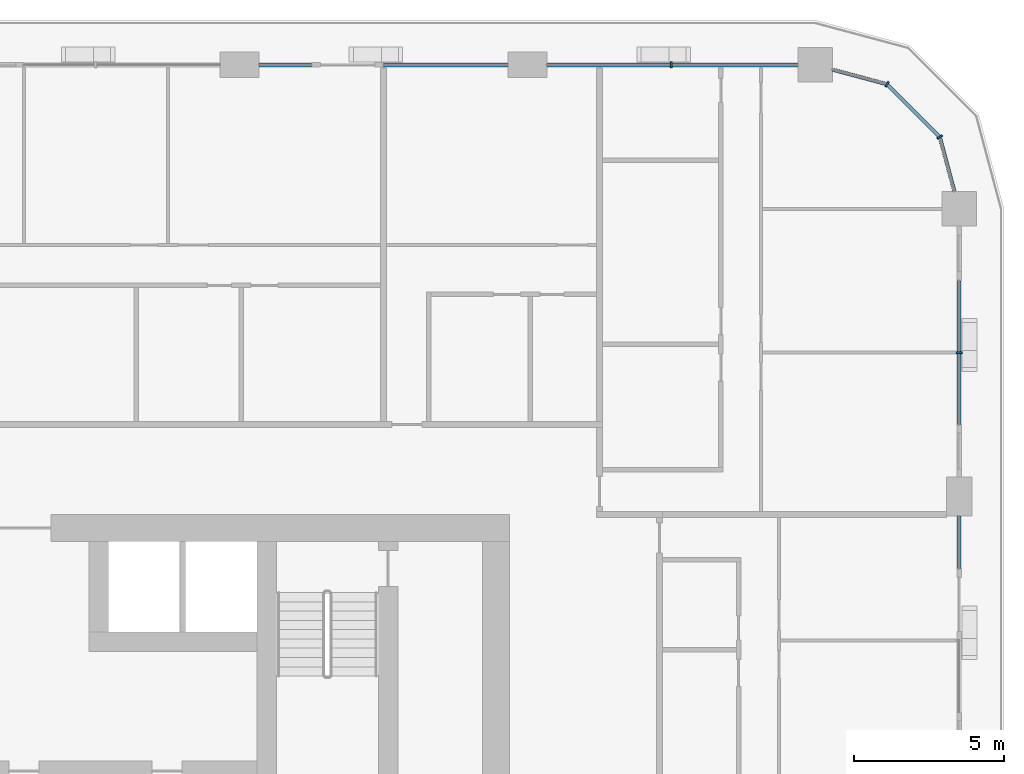
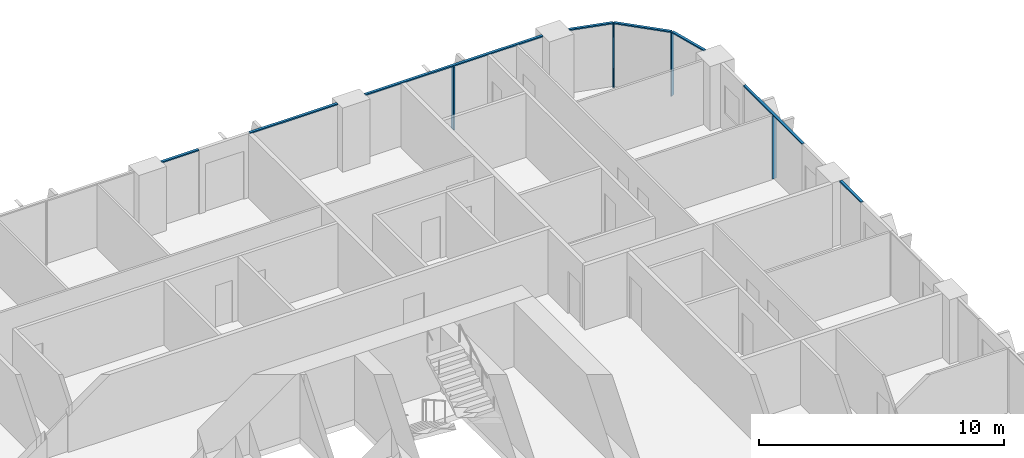
# One storey, part 6 of 21: 12 members, 5 elements without a shape of their own.
"""IFC4 building model written with IfcOpenShell, lengths in metres."""

from ifc_helpers import new_model, si_unit, direction, frame, origin, origin_2d, place, context, subcontext, project, spatial, rectangle, extrude, material, layer, layer_set, material_profile, profile_set, type_object, element, aggregate, save


model = new_model("IFC4")

# Units and contexts
model_context = context("Model", 3, precision=1e-05, world=origin(), true_north=direction((0.0, 1.0)))
body_context = subcontext(model_context, "Body", "Model", "MODEL_VIEW")
ifc_project = project(units=[si_unit("LENGTHUNIT", "METRE"), si_unit("AREAUNIT", "SQUARE_METRE"), si_unit("VOLUMEUNIT", "CUBIC_METRE"), si_unit("PLANEANGLEUNIT", "RADIAN"), si_unit("MASSUNIT", "GRAM", prefix="KILO")], contexts=[model_context])

# Site, building, storey
site_placement = place(None, origin())
site = spatial("IfcSite", under=ifc_project, at=site_placement, CompositionType="ELEMENT")
building_placement = place(site_placement, origin())
building = spatial("IfcBuilding", under=site, at=building_placement, Name="Madar Terraces", CompositionType="ELEMENT")
storey_placement = place(building_placement, frame((0.0, 0.0, 89.199951171875)))
storey = spatial("IfcBuildingStorey", under=building, at=storey_placement, Name="L22", CompositionType="ELEMENT", Elevation=89.199951171875)

# Curtain wall, member
ifc_material_1 = material(Name="Glass, ceramic frit dark grey, with black aluminium frame", Category="aluminium")
ifc_layer = layer(ifc_material_1, 0.199951171875)
ifc_layer_set = layer_set([ifc_layer], Name="Facade curtain wall, fritted glass")
curtain_wall_type = type_object("IfcCurtainWallType", Name="Facade curtain wall, fritted glass", PredefinedType="NOTDEFINED", material=ifc_layer_set)
curtain_wall_1_placement = place(storey_placement, origin())
curtain_wall_1 = element("IfcCurtainWall", 1, at=curtain_wall_1_placement, inside=storey, type_object=curtain_wall_type, Name="Outer skin curtain wall east bay 4", PredefinedType="NOTDEFINED")
ifc_material_2 = material(Name="Aluminium, black anodised", Category="aluminium")
ifc_material_profile_1 = material_profile(ifc_material_2, rectangle(XDim=0.199951171875, YDim=0.06005859375, at=origin_2d()), Name="Facade mullion 60x200")
ifc_profile_set_1 = profile_set([ifc_material_profile_1], Name="Aluminium, black anodised")
member_type_1 = type_object("IfcMemberType", Name="Facade mullion 60x200", PredefinedType="MULLION", material=ifc_profile_set_1)
member_1_placement = place(storey_placement, frame((62.39990234375, 43.199951171875, 0.0), z_axis=(0.0, 0.0, 1.0), x_axis=(-1.0, 0.0, 0.0)))
member_1 = element("IfcMember", 2, at=member_1_placement, type_object=member_type_1, Name="Mullion 1", PredefinedType="MULLION", context=body_context, shape_type="SweptSolid", body=[
    extrude(rectangle(XDim=0.199951171875, YDim=0.06005859375, at=origin_2d()), origin(), (0.0, 0.0, 1.0), 3.14013671875),
])

curtain_wall_2_placement = place(storey_placement, origin())
curtain_wall_2 = element("IfcCurtainWall", 3, at=curtain_wall_2_placement, inside=storey, type_object=curtain_wall_type, Name="Outer skin curtain wall north bay 1", PredefinedType="NOTDEFINED")
member_2_placement = place(storey_placement, frame((52.800048828125, 52.800048828125, 0.0), z_axis=(0.0, 0.0, 1.0), x_axis=(0.0, -1.0, 0.0)))
member_2 = element("IfcMember", 4, at=member_2_placement, type_object=member_type_1, Name="Mullion 1", PredefinedType="MULLION", context=body_context, shape_type="SweptSolid", body=[
    extrude(rectangle(XDim=0.199951171875, YDim=0.06005859375, at=origin_2d()), origin(), (0.0, 0.0, 1.0), 3.14013671875),
])

# Curtain wall, members
curtain_wall_3_placement = place(storey_placement, origin())
curtain_wall_3 = element("IfcCurtainWall", 5, at=curtain_wall_3_placement, inside=storey, type_object=curtain_wall_type, Name="Outer skin curtain wall north-east corner", PredefinedType="NOTDEFINED")
member_3_placement = place(storey_placement, frame((61.7568359375, 50.39990234375, 0.0), z_axis=(0.0, 0.0, 1.0), x_axis=(-0.866025409797, -0.499999989586, 0.0)))
member_3 = element("IfcMember", 6, at=member_3_placement, type_object=member_type_1, Name="Mullion 1", PredefinedType="MULLION", context=body_context, shape_type="SweptSolid", body=[
    extrude(rectangle(XDim=0.199951171875, YDim=0.06005859375, at=origin_2d()), origin(), (0.0, 0.0, 1.0), 3.14013671875),
])
member_4_placement = place(storey_placement, frame((60.0, 52.156982421875, 0.0), z_axis=(0.0, 0.0, 1.0), x_axis=(-0.499999989586, -0.866025409797, 0.0)))
member_4 = element("IfcMember", 7, at=member_4_placement, type_object=member_type_1, Name="Mullion 2", PredefinedType="MULLION", context=body_context, shape_type="SweptSolid", body=[
    extrude(rectangle(XDim=0.199951171875, YDim=0.06005859375, at=origin_2d()), origin(), (0.0, 0.0, 1.0), 3.14013671875),
])

# Curtain wall, member
curtain_wall_4_placement = place(storey_placement, origin())
curtain_wall_4 = element("IfcCurtainWall", 8, at=curtain_wall_4_placement, inside=storey, type_object=curtain_wall_type, Name="Outer skin curtain wall east bay 3", PredefinedType="NOTDEFINED")
ifc_material_3 = material(Name="Aluminium, black anodised", Category="aluminium")
ifc_material_profile_2 = material_profile(ifc_material_3, rectangle(XDim=0.1201171875, YDim=0.06005859375, at=origin_2d()), Name="Facade transom 60x120")
ifc_profile_set_2 = profile_set([ifc_material_profile_2], Name="Aluminium, black anodised")
member_type_2 = type_object("IfcMemberType", Name="Facade transom 60x120", PredefinedType="USERDEFINED", material=ifc_profile_set_2)
member_5_placement = place(storey_placement, frame((62.39990234375, 36.0, 3.170166015625), z_axis=(0.0, 1.0, 0.0), x_axis=(-1.0, 0.0, 0.0)))
member_5 = element("IfcMember", 9, at=member_5_placement, type_object=member_type_2, Name="Transom 2", ObjectType="TRANSOM", PredefinedType="USERDEFINED", context=body_context, shape_type="SweptSolid", body=[
    extrude(rectangle(XDim=0.1201171875, YDim=0.06005859375, at=origin_2d()), origin(), (0.0, 0.0, 1.0), 1.75),
])
aggregate(curtain_wall_4, [member_5])

# Member
member_6_placement = place(storey_placement, frame((62.39990234375, 40.800048828125, 3.170166015625), z_axis=(0.0, 1.0, 0.0), x_axis=(-1.0, 0.0, 0.0)))
member_6 = element("IfcMember", 10, at=member_6_placement, type_object=member_type_2, Name="Transom 1", ObjectType="TRANSOM", PredefinedType="USERDEFINED", context=body_context, shape_type="SweptSolid", body=[
    extrude(rectangle(XDim=0.1201171875, YDim=0.06005859375, at=origin_2d()), origin(), (0.0, 0.0, 1.0), 4.800048828125),
])

aggregate(curtain_wall_1, [member_1, member_6])

member_7_placement = place(storey_placement, frame((57.02490234375, 52.800048828125, 3.170166015625), z_axis=(-1.0, 0.0, 0.0), x_axis=(0.0, -1.0, 0.0)))
member_7 = element("IfcMember", 11, at=member_7_placement, type_object=member_type_2, Name="Transom 1", ObjectType="TRANSOM", PredefinedType="USERDEFINED", context=body_context, shape_type="SweptSolid", body=[
    extrude(rectangle(XDim=0.1201171875, YDim=0.06005859375, at=origin_2d()), origin(), (0.0, 0.0, 1.0), 8.375),
])

aggregate(curtain_wall_2, [member_2, member_7])

# Curtain wall, members
curtain_wall_5_placement = place(storey_placement, origin())
curtain_wall_5 = element("IfcCurtainWall", 12, at=curtain_wall_5_placement, inside=storey, type_object=curtain_wall_type, Name="Outer skin curtain wall north bay 2", PredefinedType="NOTDEFINED")
member_8_placement = place(storey_placement, frame((47.35009765625, 52.800048828125, 3.170166015625), z_axis=(-1.0, 0.0, 0.0), x_axis=(0.0, -1.0, 0.0)))
member_8 = element("IfcMember", 13, at=member_8_placement, type_object=member_type_2, Name="Transom 1", ObjectType="TRANSOM", PredefinedType="USERDEFINED", context=body_context, shape_type="SweptSolid", body=[
    extrude(rectangle(XDim=0.1201171875, YDim=0.06005859375, at=origin_2d()), origin(), (0.0, 0.0, 1.0), 4.150146484375),
])
member_9_placement = place(storey_placement, frame((40.800048828125, 52.800048828125, 3.170166015625), z_axis=(-1.0, 0.0, 0.0), x_axis=(0.0, -1.0, 0.0)))
member_9 = element("IfcMember", 14, at=member_9_placement, type_object=member_type_2, Name="Transom 2", ObjectType="TRANSOM", PredefinedType="USERDEFINED", context=body_context, shape_type="SweptSolid", body=[
    extrude(rectangle(XDim=0.1201171875, YDim=0.06005859375, at=origin_2d()), origin(), (0.0, 0.0, 1.0), 1.75),
])
aggregate(curtain_wall_5, [member_8, member_9])

# Member
member_10_placement = place(storey_placement, frame((62.245849609375, 48.574951171875, 3.170166015625), z_axis=(-0.258782024434, 0.965935745187, 0.0), x_axis=(-0.965935745187, -0.258782024434, 0.0)))
member_10 = element("IfcMember", 15, at=member_10_placement, type_object=member_type_2, Name="Transom 1", ObjectType="TRANSOM", PredefinedType="USERDEFINED", context=body_context, shape_type="SweptSolid", body=[
    extrude(rectangle(XDim=0.1201171875, YDim=0.06005859375, at=origin_2d()), origin(), (0.0, 0.0, 1.0), 1.859375),
])

member_11_placement = place(storey_placement, frame((61.735595703125, 50.421142578125, 3.170166015625), z_axis=(-0.707056433593, 0.707157125196, 0.0), x_axis=(-0.707157125196, -0.707056433593, 0.0)))
member_11 = element("IfcMember", 16, at=member_11_placement, type_object=member_type_2, Name="Transom 2", ObjectType="TRANSOM", PredefinedType="USERDEFINED", context=body_context, shape_type="SweptSolid", body=[
    extrude(rectangle(XDim=0.1201171875, YDim=0.06005859375, at=origin_2d()), origin(), (0.0, 0.0, 1.0), 2.424560546875),
])

member_12_placement = place(storey_placement, frame((59.970947265625, 52.164794921875, 3.170166015625), z_axis=(-0.965926950947, 0.258814847786, 0.0), x_axis=(-0.258814847786, -0.965926950947, 0.0)))
member_12 = element("IfcMember", 17, at=member_12_placement, type_object=member_type_2, Name="Transom 3", ObjectType="TRANSOM", PredefinedType="USERDEFINED", context=body_context, shape_type="SweptSolid", body=[
    extrude(rectangle(XDim=0.1201171875, YDim=0.06005859375, at=origin_2d()), origin(), (0.0, 0.0, 1.0), 1.859130859375),
])

aggregate(curtain_wall_3, [member_3, member_10, member_4, member_11, member_12])

save(model, "model.ifc")
